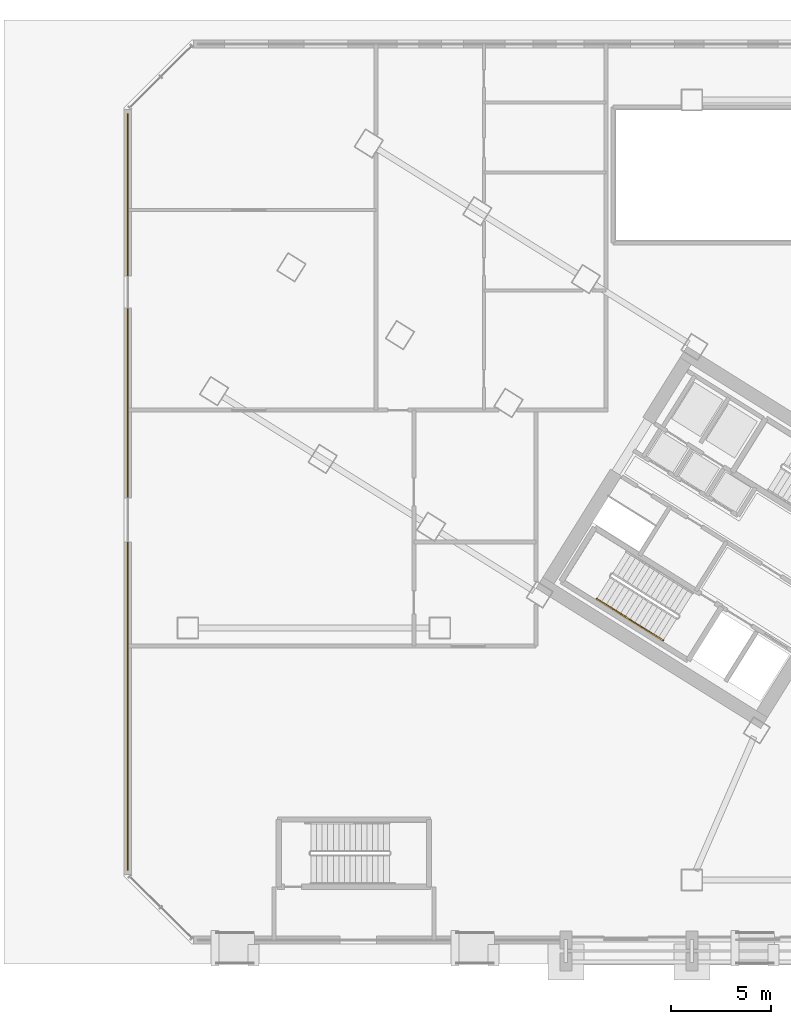
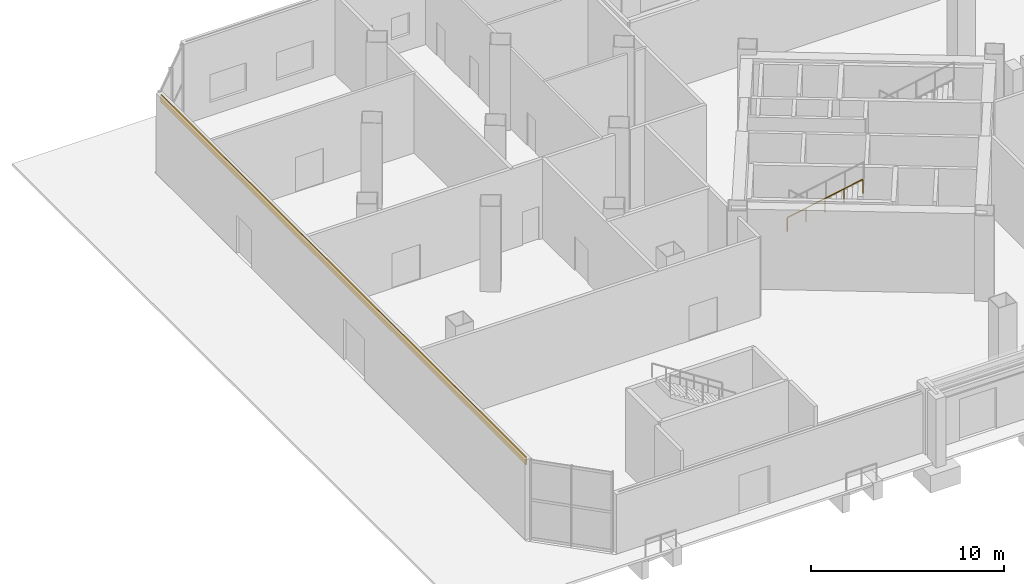
# One storey, part 16 of 22: 2 railings, 1 covering.
"""IFC4 building model written with IfcOpenShell, lengths in metres."""

from ifc_helpers import new_model, si_unit, direction, frame, origin, origin_2d, place, context, subcontext, project, spatial, rectangle, extrude, source, transform, mapped, material, layer, layer_set, type_object, element, save


model = new_model("IFC4")

# Units and contexts
model_context = context("Model", 3, precision=1e-05, world=origin(), true_north=direction((0.0, 1.0)))
body_context = subcontext(model_context, "Body", "Model", "MODEL_VIEW")
ifc_project = project(units=[si_unit("LENGTHUNIT", "METRE"), si_unit("AREAUNIT", "SQUARE_METRE"), si_unit("VOLUMEUNIT", "CUBIC_METRE"), si_unit("PLANEANGLEUNIT", "RADIAN"), si_unit("MASSUNIT", "GRAM", prefix="KILO")], contexts=[model_context])

# Site, building, storey
site_placement = place(None, origin())
site = spatial("IfcSite", under=ifc_project, at=site_placement, CompositionType="ELEMENT")
building_placement = place(site_placement, origin())
building = spatial("IfcBuilding", under=site, at=building_placement, Name="Tlacorven Tower", CompositionType="ELEMENT")
storey_placement = place(building_placement, origin())
storey = spatial("IfcBuildingStorey", under=building, at=storey_placement, Name="L00", CompositionType="ELEMENT", Elevation=0.0)

# Covering
ifc_material_1 = material(Name="Precast concrete C45/55", Category="concrete")
ifc_layer = layer(ifc_material_1, 0.06005859375)
ifc_layer_set = layer_set([ifc_layer], Name="Precast concrete C45/55")
covering_type = type_object("IfcCoveringType", Name="CV-CLD-TERC", PredefinedType="CLADDING", material=ifc_layer_set)
shared_shape_1 = source(origin(), body_context, "Body", "SweptSolid", [
    extrude(rectangle(XDim=37.834228515625, YDim=0.06005859375, at=origin_2d()), origin(), (0.0, 0.0, 1.0), 0.47998046875),
])
covering_placement = place(storey_placement, frame((1.60009765625, 24.0, 4.570068359375), z_axis=(0.0, 0.0, 1.0), x_axis=(0.0, 1.0, 0.0)))
element("IfcCovering", 1, at=covering_placement, inside=storey, type_object=covering_type, Name="L00 Expressed Terracotta Masonry Spandrel Band 2", PredefinedType="CLADDING", context=body_context, shape_type="MappedRepresentation", body=[
    mapped(shared_shape_1, transform((0.0, 0.0, 0.0), scale=1.0)),
])

# Railings
ifc_material_2 = material(Name="Aluminium and painted steel balustrade", Category="steel")
railing_type = type_object("IfcRailingType", Name="RL-HND-0900", PredefinedType="HANDRAIL", material=ifc_material_2)
shared_shape_2 = source(origin(), body_context, "Body", "SweptSolid", [
    extrude(rectangle(XDim=0.048095703125, YDim=0.048095703125, at=origin_2d()), frame((0.0, 0.0, 0.8759765625), z_axis=(0.713353726602, -0.445741297439, 0.540778287749), x_axis=(0.52990936055, 0.848054284584, 0.0)), (0.0, 0.0, 1.0), 2.330078125),
    extrude(rectangle(XDim=0.0419921875, YDim=0.0419921875, at=origin_2d()), origin(), (0.0, 0.0, 1.0), 0.851806640625),
    extrude(rectangle(XDim=0.0419921875, YDim=0.0419921875, at=origin_2d()), frame((0.8310546875, -0.519287109375, 0.6298828125)), (0.0, 0.0, 1.0), 0.851806640625),
    extrude(rectangle(XDim=0.0419921875, YDim=0.0419921875, at=origin_2d()), frame((1.662109375, -1.03857421875, 1.260009765625)), (0.0, 0.0, 1.0), 0.851806640625),
])
for number, where, name in (
    (2, (25.04150390625, 18.656982421875, 2.8798828125), "L00 ST-W1 stair handrail 3"),
    (3, (26.70361328125, 17.618408203125, 4.139892578125), "L00 ST-W1 stair handrail 4"),
):
    element("IfcRailing", number, at=place(storey_placement, frame(where)), inside=storey, type_object=railing_type, Name=name, PredefinedType="HANDRAIL", context=body_context, shape_type="MappedRepresentation", body=[
        mapped(shared_shape_2, transform((0.0, 0.0, 0.0), scale=1.0)),
    ])

save(model, "model.ifc")
